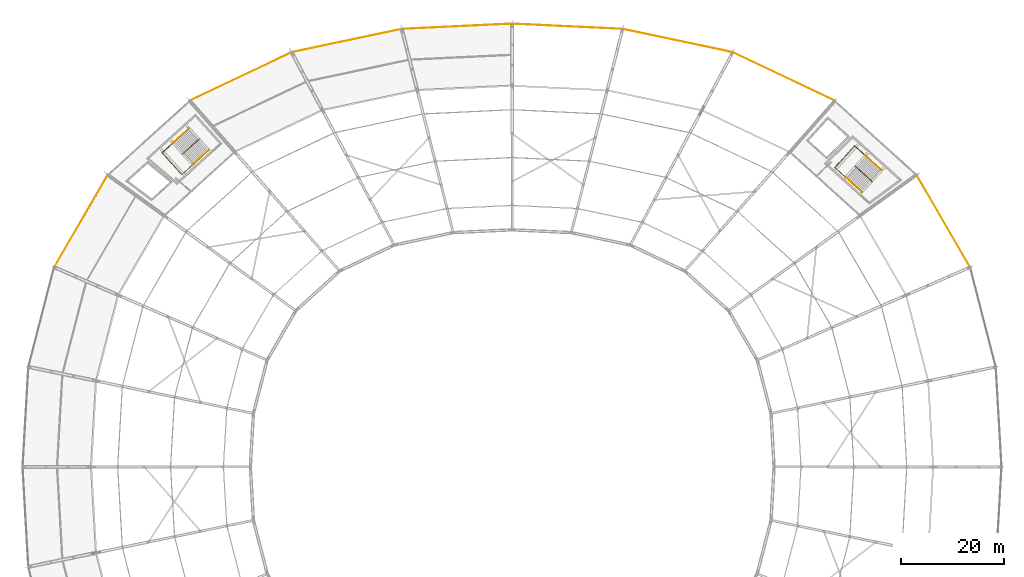
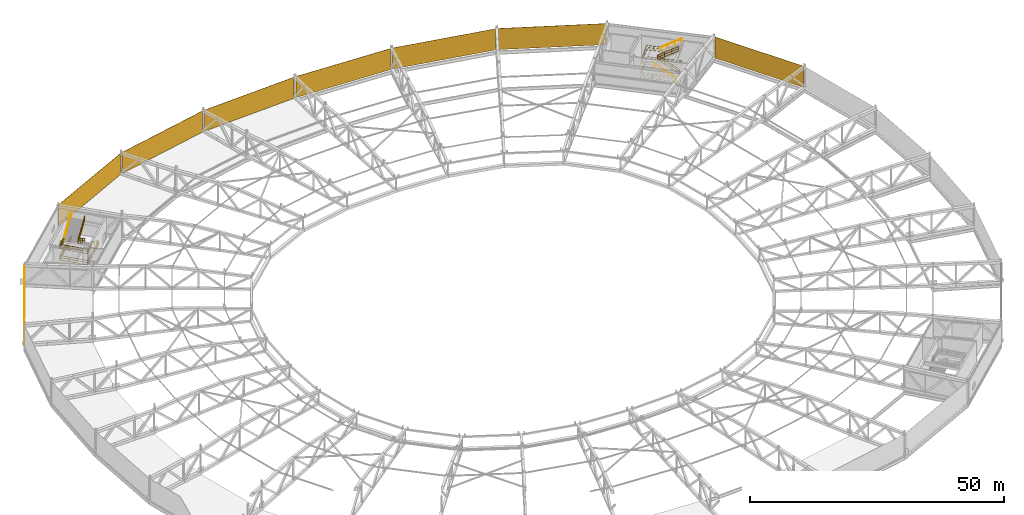
# One storey, part 162 of 162: 10 railings, 8 coverings.
"""IFC4 building model written with IfcOpenShell, lengths in metres."""

from ifc_helpers import new_model, si_unit, direction, frame, origin, origin_2d, place, context, subcontext, project, spatial, rectangle, extrude, material, layer, layer_set, type_object, element, save


model = new_model("IFC4")

# Units and contexts
model_context = context("Model", 3, precision=1e-05, world=origin(), true_north=direction((0.0, 1.0)))
body_context = subcontext(model_context, "Body", "Model", "MODEL_VIEW")
ifc_project = project(units=[si_unit("LENGTHUNIT", "METRE"), si_unit("AREAUNIT", "SQUARE_METRE"), si_unit("VOLUMEUNIT", "CUBIC_METRE"), si_unit("PLANEANGLEUNIT", "RADIAN"), si_unit("MASSUNIT", "GRAM", prefix="KILO")], contexts=[model_context])

# Site, building, storey
site_placement = place(None, origin())
site = spatial("IfcSite", under=ifc_project, at=site_placement, CompositionType="ELEMENT")
building_placement = place(site_placement, origin())
building = spatial("IfcBuilding", under=site, at=building_placement, Name="Kazemori Nagisa Stadium", CompositionType="ELEMENT")
storey_placement = place(building_placement, frame((0.0, 0.0, 36.719970703125)))
storey = spatial("IfcBuildingStorey", under=building, at=storey_placement, Name="RF", CompositionType="ELEMENT", Elevation=36.719970703125)

# Coverings
ifc_material_1 = material(Name="Anodised aluminium 6063-T5", Category="aluminium")
ifc_layer = layer(ifc_material_1, 0.034912109375, Name="Anodised aluminium 6063-T5", Category="aluminium")
ifc_layer_set = layer_set([ifc_layer], Name="Anodised aluminium 6063-T5")
covering_type = type_object("IfcCoveringType", Name="Covering_CLAD", PredefinedType="CLADDING", material=ifc_layer_set)
covering_1_placement = place(storey_placement, frame((206.690185546875, 149.70849609375, 0.030029296875), z_axis=(0.0, 0.0, 1.0), x_axis=(-0.501611590054, 0.865092950337, 0.0)))
element("IfcCovering", 1, at=covering_1_placement, inside=storey, type_object=covering_type, Name="Canopy perimeter acoustic fascia screen RF-B03", PredefinedType="CLADDING", context=body_context, shape_type="SweptSolid", body=[
    extrude(rectangle(XDim=20.21240234375, YDim=0.050048828125, at=origin_2d()), origin(), (0.0, 0.0, 1.0), 5.10009765625),
])
covering_2_placement = place(storey_placement, frame((175.701416015625, 177.76171875, 0.030029296875), z_axis=(0.0, 0.0, 1.0), x_axis=(-0.903215892654, 0.429186499388, 0.0)))
element("IfcCovering", 2, at=covering_2_placement, inside=storey, type_object=covering_type, Name="Canopy perimeter acoustic fascia screen RF-B05", PredefinedType="CLADDING", context=body_context, shape_type="SweptSolid", body=[
    extrude(rectangle(XDim=21.414306640625, YDim=0.050048828125, at=origin_2d()), origin(), (0.0, 0.0, 1.0), 5.10009765625),
])
covering_3_placement = place(storey_placement, frame((155.1162109375, 184.7255859375, 0.030029296875), z_axis=(0.0, 0.0, 1.0), x_axis=(-0.978344955407, 0.206981033502, 0.0)))
element("IfcCovering", 3, at=covering_3_placement, inside=storey, type_object=covering_type, Name="Canopy perimeter acoustic fascia screen RF-B06", PredefinedType="CLADDING", context=body_context, shape_type="SweptSolid", body=[
    extrude(rectangle(XDim=21.35009765625, YDim=0.050048828125, at=origin_2d()), origin(), (0.0, 0.0, 1.0), 5.10009765625),
])
for number, where, z_axis, x_axis, name in (
    (4, (133.7138671875, 187.493408203125, 0.030029296875), (0.0, 0.0, 1.0), (-0.998884022476, 0.047230388971, 0.0), "Canopy perimeter acoustic fascia screen RF-B07"),
    (5, (112.2861328125, 187.493408203125, 0.030029296875), (0.0, 0.0, 1.0), (-0.998884022476, -0.047230388971, 0.0), "Canopy perimeter acoustic fascia screen RF-B08"),
):
    element("IfcCovering", number, at=place(storey_placement, frame(where, z_axis=z_axis, x_axis=x_axis)), inside=storey, type_object=covering_type, Name=name, PredefinedType="CLADDING", context=body_context, shape_type="SweptSolid", body=[
        extrude(rectangle(XDim=20.95166015625, YDim=0.050048828125, at=origin_2d()), origin(), (0.0, 0.0, 1.0), 5.10009765625),
    ])
covering_4_placement = place(storey_placement, frame((90.8837890625, 184.7255859375, 0.030029296875), z_axis=(0.0, 0.0, 1.0), x_axis=(-0.978344955407, -0.206981033502, 0.0)))
element("IfcCovering", 6, at=covering_4_placement, inside=storey, type_object=covering_type, Name="Canopy perimeter acoustic fascia screen RF-B09", PredefinedType="CLADDING", context=body_context, shape_type="SweptSolid", body=[
    extrude(rectangle(XDim=21.35009765625, YDim=0.050048828125, at=origin_2d()), origin(), (0.0, 0.0, 1.0), 5.10009765625),
])
covering_5_placement = place(storey_placement, frame((70.298583984375, 177.76171875, 0.030029296875), z_axis=(0.0, 0.0, 1.0), x_axis=(-0.903215892654, -0.429186499388, 0.0)))
element("IfcCovering", 7, at=covering_5_placement, inside=storey, type_object=covering_type, Name="Canopy perimeter acoustic fascia screen RF-B10", PredefinedType="CLADDING", context=body_context, shape_type="SweptSolid", body=[
    extrude(rectangle(XDim=21.414306640625, YDim=0.050048828125, at=origin_2d()), origin(), (0.0, 0.0, 1.0), 5.10009765625),
])
covering_6_placement = place(storey_placement, frame((39.309814453125, 149.70849609375, 0.030029296875), z_axis=(0.0, 0.0, 1.0), x_axis=(-0.501611590054, -0.865092950337, 0.0)))
element("IfcCovering", 8, at=covering_6_placement, inside=storey, type_object=covering_type, Name="Canopy perimeter acoustic fascia screen RF-B12", PredefinedType="CLADDING", context=body_context, shape_type="SweptSolid", body=[
    extrude(rectangle(XDim=20.21240234375, YDim=0.050048828125, at=origin_2d()), origin(), (0.0, 0.0, 1.0), 5.10009765625),
])

# Railings
ifc_material_2 = material(Name="Galvanised powder-coated steel", Category="steel")
railing_type_1 = type_object("IfcRailingType", Name="Rail_GUARD", PredefinedType="GUARDRAIL", material=ifc_material_2)
railing_1_placement = place(storey_placement, frame((190.87646484375, 155.334228515625, 0.0)))
element("IfcRailing", 9, at=railing_1_placement, inside=storey, type_object=railing_type_1, Name="Stair well perimeter guard ST01-RF", PredefinedType="GUARDRAIL", context=body_context, shape_type="SweptSolid", body=[
    extrude(rectangle(XDim=0.050048828125, YDim=0.050048828125, at=origin_2d()), frame((0.0, 0.0, 1.09521484375), z_axis=(-0.741349073354, 0.671119625281, 0.0), x_axis=(-0.671119625281, -0.741349073354, 0.0)), (0.0, 0.0, 1.0), 7.09521484375),
    extrude(rectangle(XDim=0.03759765625, YDim=0.03759765625, at=origin_2d()), frame((0.0, 0.0, 0.58251953125), z_axis=(-0.741349073354, 0.671119625281, 0.0), x_axis=(-0.671119625281, -0.741349073354, 0.0)), (0.0, 0.0, 1.0), 7.09521484375),
    extrude(rectangle(XDim=0.03759765625, YDim=0.03759765625, at=origin_2d()), frame((0.0, 0.0, 0.02490234375), z_axis=(-0.741349073354, 0.671119625281, 0.0), x_axis=(-0.671119625281, -0.741349073354, 0.0)), (0.0, 0.0, 1.0), 7.09521484375),
    extrude(rectangle(XDim=0.050048828125, YDim=0.050048828125, at=origin_2d()), frame((-5.260009765625, 4.76171875, 1.09521484375), z_axis=(0.67113423669, 0.74133584585, 0.0), x_axis=(-0.74133584585, 0.67113423669, 0.0)), (0.0, 0.0, 1.0), 5.699951171875),
    extrude(rectangle(XDim=0.03759765625, YDim=0.03759765625, at=origin_2d()), frame((-5.260009765625, 4.76171875, 0.58251953125), z_axis=(0.67113423669, 0.74133584585, 0.0), x_axis=(-0.74133584585, 0.67113423669, 0.0)), (0.0, 0.0, 1.0), 5.699951171875),
    extrude(rectangle(XDim=0.03759765625, YDim=0.03759765625, at=origin_2d()), frame((-5.260009765625, 4.76171875, 0.02490234375), z_axis=(0.67113423669, 0.74133584585, 0.0), x_axis=(-0.74133584585, 0.67113423669, 0.0)), (0.0, 0.0, 1.0), 5.699951171875),
    extrude(rectangle(XDim=0.050048828125, YDim=0.050048828125, at=origin_2d()), frame((-1.4345703125, 8.9873046875, 1.09521484375), z_axis=(0.741350695223, -0.671117833686, 0.0), x_axis=(0.671117833686, 0.741350695223, 0.0)), (0.0, 0.0, 1.0), 7.0947265625),
    extrude(rectangle(XDim=0.03759765625, YDim=0.03759765625, at=origin_2d()), frame((-1.4345703125, 8.9873046875, 0.58251953125), z_axis=(0.741350695223, -0.671117833686, 0.0), x_axis=(0.671117833686, 0.741350695223, 0.0)), (0.0, 0.0, 1.0), 7.0947265625),
    extrude(rectangle(XDim=0.03759765625, YDim=0.03759765625, at=origin_2d()), frame((-1.4345703125, 8.9873046875, 0.02490234375), z_axis=(0.741350695223, -0.671117833686, 0.0), x_axis=(0.671117833686, 0.741350695223, 0.0)), (0.0, 0.0, 1.0), 7.0947265625),
    extrude(rectangle(XDim=0.044921875, YDim=0.044921875, at=origin_2d()), origin(), (0.0, 0.0, 1.0), 1.070068359375),
    extrude(rectangle(XDim=0.044921875, YDim=0.044921875, at=origin_2d()), frame((-1.75341796875, 1.587158203125, 0.0)), (0.0, 0.0, 1.0), 1.070068359375),
    extrude(rectangle(XDim=0.044921875, YDim=0.044921875, at=origin_2d()), frame((-3.506591796875, 3.174560546875, 0.0)), (0.0, 0.0, 1.0), 1.070068359375),
    extrude(rectangle(XDim=0.044921875, YDim=0.044921875, at=origin_2d()), frame((-5.260009765625, 4.76171875, 0.0)), (0.0, 0.0, 1.0), 1.070068359375),
    extrude(rectangle(XDim=0.044921875, YDim=0.044921875, at=origin_2d()), frame((-3.98486328125, 6.170166015625, 0.0)), (0.0, 0.0, 1.0), 1.070068359375),
    extrude(rectangle(XDim=0.044921875, YDim=0.044921875, at=origin_2d()), frame((-2.709716796875, 7.578857421875, 0.0)), (0.0, 0.0, 1.0), 1.070068359375),
    extrude(rectangle(XDim=0.044921875, YDim=0.044921875, at=origin_2d()), frame((-1.4345703125, 8.9873046875, 0.0)), (0.0, 0.0, 1.0), 1.070068359375),
    extrude(rectangle(XDim=0.044921875, YDim=0.044921875, at=origin_2d()), frame((0.318603515625, 7.400146484375, 0.0)), (0.0, 0.0, 1.0), 1.070068359375),
    extrude(rectangle(XDim=0.044921875, YDim=0.044921875, at=origin_2d()), frame((2.072021484375, 5.81298828125, 0.0)), (0.0, 0.0, 1.0), 1.070068359375),
    extrude(rectangle(XDim=0.044921875, YDim=0.044921875, at=origin_2d()), frame((3.8251953125, 4.225830078125, 0.0)), (0.0, 0.0, 1.0), 1.070068359375),
])
railing_2_placement = place(storey_placement, frame((192.848388671875, 157.393310546875, 0.0)))
element("IfcRailing", 10, at=railing_2_placement, inside=storey, type_object=railing_type_1, Name="Stair central guard ST01-RF", PredefinedType="GUARDRAIL", context=body_context, shape_type="SweptSolid", body=[
    extrude(rectangle(XDim=0.050048828125, YDim=0.050048828125, at=origin_2d()), frame((0.0, 0.0, 1.09521484375), z_axis=(-0.627557777508, 0.568113486393, 0.532370456043), x_axis=(-0.67112318634, -0.741345849626, 0.0)), (0.0, 0.0, 1.0), 5.109130859375),
    extrude(rectangle(XDim=0.03759765625, YDim=0.03759765625, at=origin_2d()), frame((0.0, 0.0, 0.58251953125), z_axis=(-0.627557777508, 0.568113486393, 0.532370456043), x_axis=(-0.67112318634, -0.741345849626, 0.0)), (0.0, 0.0, 1.0), 5.109130859375),
    extrude(rectangle(XDim=0.03759765625, YDim=0.03759765625, at=origin_2d()), frame((0.0, 0.0, 0.02490234375), z_axis=(-0.627557777508, 0.568113486393, 0.532370456043), x_axis=(-0.67112318634, -0.741345849626, 0.0)), (0.0, 0.0, 1.0), 5.109130859375),
    extrude(rectangle(XDim=0.050048828125, YDim=0.050048828125, at=origin_2d()), frame((-3.206298828125, 2.902587890625, 3.81494140625), z_axis=(0.624200602078, -0.565073454279, 0.539504957933), x_axis=(0.671122625547, 0.741346357298, 0.0)), (0.0, 0.0, 1.0), 5.04150390625),
    extrude(rectangle(XDim=0.03759765625, YDim=0.03759765625, at=origin_2d()), frame((-3.206298828125, 2.902587890625, 3.302490234375), z_axis=(0.624200602078, -0.565073454279, 0.539504957933), x_axis=(0.671122625547, 0.741346357298, 0.0)), (0.0, 0.0, 1.0), 5.04150390625),
    extrude(rectangle(XDim=0.03759765625, YDim=0.03759765625, at=origin_2d()), frame((-3.206298828125, 2.902587890625, 2.7451171875), z_axis=(0.624200602078, -0.565073454279, 0.539504957933), x_axis=(0.671122625547, 0.741346357298, 0.0)), (0.0, 0.0, 1.0), 5.04150390625),
    extrude(rectangle(XDim=0.044921875, YDim=0.044921875, at=origin_2d()), origin(), (0.0, 0.0, 1.0), 1.070068359375),
    extrude(rectangle(XDim=0.044921875, YDim=0.044921875, at=origin_2d()), frame((-1.06884765625, 0.967529296875, 0.90673828125)), (0.0, 0.0, 1.0), 1.070068359375),
    extrude(rectangle(XDim=0.044921875, YDim=0.044921875, at=origin_2d()), frame((-2.137451171875, 1.93505859375, 1.813232421875)), (0.0, 0.0, 1.0), 1.070068359375),
    extrude(rectangle(XDim=0.044921875, YDim=0.044921875, at=origin_2d()), frame((-3.206298828125, 2.902587890625, 2.719970703125)), (0.0, 0.0, 1.0), 1.070068359375),
    extrude(rectangle(XDim=0.044921875, YDim=0.044921875, at=origin_2d()), frame((-2.1572265625, 1.952880859375, 3.626708984375)), (0.0, 0.0, 1.0), 1.070068359375),
    extrude(rectangle(XDim=0.044921875, YDim=0.044921875, at=origin_2d()), frame((-1.1083984375, 1.00341796875, 4.533203125)), (0.0, 0.0, 1.0), 1.070068359375),
    extrude(rectangle(XDim=0.044921875, YDim=0.044921875, at=origin_2d()), frame((-0.059326171875, 0.0537109375, 5.43994140625)), (0.0, 0.0, 1.0), 1.070068359375),
])
railing_3_placement = place(storey_placement, frame((187.729248046875, 158.18310546875, 2.719970703125)))
element("IfcRailing", 11, at=railing_3_placement, inside=storey, type_object=railing_type_1, Name="Stair landing guard ST01-RF", PredefinedType="GUARDRAIL", context=body_context, shape_type="SweptSolid", body=[
    extrude(rectangle(XDim=0.050048828125, YDim=0.050048828125, at=origin_2d()), frame((0.0, 0.0, 1.09521484375), z_axis=(-0.741314535645, 0.671157775223, 0.0), x_axis=(-0.671157775223, -0.741314535645, 0.0)), (0.0, 0.0, 1.0), 2.85009765625),
    extrude(rectangle(XDim=0.03759765625, YDim=0.03759765625, at=origin_2d()), frame((0.0, 0.0, 0.58251953125), z_axis=(-0.741314535645, 0.671157775223, 0.0), x_axis=(-0.671157775223, -0.741314535645, 0.0)), (0.0, 0.0, 1.0), 2.85009765625),
    extrude(rectangle(XDim=0.03759765625, YDim=0.03759765625, at=origin_2d()), frame((0.0, 0.0, 0.02490234375), z_axis=(-0.741314535645, 0.671157775223, 0.0), x_axis=(-0.671157775223, -0.741314535645, 0.0)), (0.0, 0.0, 1.0), 2.85009765625),
    extrude(rectangle(XDim=0.050048828125, YDim=0.050048828125, at=origin_2d()), frame((-2.11279296875, 1.912841796875, 1.09521484375), z_axis=(0.67113423669, 0.74133584585, 0.0), x_axis=(-0.74133584585, 0.67113423669, 0.0)), (0.0, 0.0, 1.0), 5.699951171875),
    extrude(rectangle(XDim=0.03759765625, YDim=0.03759765625, at=origin_2d()), frame((-2.11279296875, 1.912841796875, 0.58251953125), z_axis=(0.67113423669, 0.74133584585, 0.0), x_axis=(-0.74133584585, 0.67113423669, 0.0)), (0.0, 0.0, 1.0), 5.699951171875),
    extrude(rectangle(XDim=0.03759765625, YDim=0.03759765625, at=origin_2d()), frame((-2.11279296875, 1.912841796875, 0.02490234375), z_axis=(0.67113423669, 0.74133584585, 0.0), x_axis=(-0.74133584585, 0.67113423669, 0.0)), (0.0, 0.0, 1.0), 5.699951171875),
    extrude(rectangle(XDim=0.050048828125, YDim=0.050048828125, at=origin_2d()), frame((1.712646484375, 6.138427734375, 1.09521484375), z_axis=(0.741357156534, -0.671110696127, 0.0), x_axis=(0.671110696127, 0.741357156534, 0.0)), (0.0, 0.0, 1.0), 2.849853515625),
    extrude(rectangle(XDim=0.03759765625, YDim=0.03759765625, at=origin_2d()), frame((1.712646484375, 6.138427734375, 0.58251953125), z_axis=(0.741357156534, -0.671110696127, 0.0), x_axis=(0.671110696127, 0.741357156534, 0.0)), (0.0, 0.0, 1.0), 2.849853515625),
    extrude(rectangle(XDim=0.03759765625, YDim=0.03759765625, at=origin_2d()), frame((1.712646484375, 6.138427734375, 0.02490234375), z_axis=(0.741357156534, -0.671110696127, 0.0), x_axis=(0.671110696127, 0.741357156534, 0.0)), (0.0, 0.0, 1.0), 2.849853515625),
    extrude(rectangle(XDim=0.044921875, YDim=0.044921875, at=origin_2d()), origin(), (0.0, 0.0, 1.0), 1.070068359375),
    extrude(rectangle(XDim=0.044921875, YDim=0.044921875, at=origin_2d()), frame((-1.056396484375, 0.95654296875, 0.0)), (0.0, 0.0, 1.0), 1.070068359375),
    extrude(rectangle(XDim=0.044921875, YDim=0.044921875, at=origin_2d()), frame((-2.11279296875, 1.912841796875, 0.0)), (0.0, 0.0, 1.0), 1.070068359375),
    extrude(rectangle(XDim=0.044921875, YDim=0.044921875, at=origin_2d()), frame((-0.837646484375, 3.3212890625, 0.0)), (0.0, 0.0, 1.0), 1.070068359375),
    extrude(rectangle(XDim=0.044921875, YDim=0.044921875, at=origin_2d()), frame((0.4375, 4.72998046875, 0.0)), (0.0, 0.0, 1.0), 1.070068359375),
    extrude(rectangle(XDim=0.044921875, YDim=0.044921875, at=origin_2d()), frame((1.712646484375, 6.138427734375, 0.0)), (0.0, 0.0, 1.0), 1.070068359375),
    extrude(rectangle(XDim=0.044921875, YDim=0.044921875, at=origin_2d()), frame((2.76904296875, 5.18212890625, 0.0)), (0.0, 0.0, 1.0), 1.070068359375),
    extrude(rectangle(XDim=0.044921875, YDim=0.044921875, at=origin_2d()), frame((3.825439453125, 4.225830078125, 0.0)), (0.0, 0.0, 1.0), 1.070068359375),
])
railing_4_placement = place(storey_placement, frame((64.12109375, 163.4794921875, 0.0)))
element("IfcRailing", 12, at=railing_4_placement, inside=storey, type_object=railing_type_1, Name="Stair well perimeter guard ST02-RF", PredefinedType="GUARDRAIL", context=body_context, shape_type="SweptSolid", body=[
    extrude(rectangle(XDim=0.050048828125, YDim=0.050048828125, at=origin_2d()), frame((0.0, 0.0, 1.09521484375), z_axis=(-0.741333574744, -0.671136745349, 0.0), x_axis=(0.671136745349, -0.741333574744, 0.0)), (0.0, 0.0, 1.0), 7.094970703125),
    extrude(rectangle(XDim=0.03759765625, YDim=0.03759765625, at=origin_2d()), frame((0.0, 0.0, 0.58251953125), z_axis=(-0.741333574744, -0.671136745349, 0.0), x_axis=(0.671136745349, -0.741333574744, 0.0)), (0.0, 0.0, 1.0), 7.094970703125),
    extrude(rectangle(XDim=0.03759765625, YDim=0.03759765625, at=origin_2d()), frame((0.0, 0.0, 0.02490234375), z_axis=(-0.741333574744, -0.671136745349, 0.0), x_axis=(0.671136745349, -0.741333574744, 0.0)), (0.0, 0.0, 1.0), 7.094970703125),
    extrude(rectangle(XDim=0.050048828125, YDim=0.050048828125, at=origin_2d()), frame((-5.259765625, -4.76171875, 1.09521484375), z_axis=(-0.671112926645, 0.74135513736, 0.0), x_axis=(-0.74135513736, -0.671112926645, 0.0)), (0.0, 0.0, 1.0), 5.7001953125),
    extrude(rectangle(XDim=0.03759765625, YDim=0.03759765625, at=origin_2d()), frame((-5.259765625, -4.76171875, 0.58251953125), z_axis=(-0.671112926645, 0.74135513736, 0.0), x_axis=(-0.74135513736, -0.671112926645, 0.0)), (0.0, 0.0, 1.0), 5.7001953125),
    extrude(rectangle(XDim=0.03759765625, YDim=0.03759765625, at=origin_2d()), frame((-5.259765625, -4.76171875, 0.02490234375), z_axis=(-0.671112926645, 0.74135513736, 0.0), x_axis=(-0.74135513736, -0.671112926645, 0.0)), (0.0, 0.0, 1.0), 5.7001953125),
    extrude(rectangle(XDim=0.050048828125, YDim=0.050048828125, at=origin_2d()), frame((-9.085205078125, -0.535888671875, 1.09521484375), z_axis=(0.741366193318, 0.67110071331, 0.0), x_axis=(-0.67110071331, 0.741366193318, 0.0)), (0.0, 0.0, 1.0), 7.094970703125),
    extrude(rectangle(XDim=0.03759765625, YDim=0.03759765625, at=origin_2d()), frame((-9.085205078125, -0.535888671875, 0.58251953125), z_axis=(0.741366193318, 0.67110071331, 0.0), x_axis=(-0.67110071331, 0.741366193318, 0.0)), (0.0, 0.0, 1.0), 7.094970703125),
    extrude(rectangle(XDim=0.03759765625, YDim=0.03759765625, at=origin_2d()), frame((-9.085205078125, -0.535888671875, 0.02490234375), z_axis=(0.741366193318, 0.67110071331, 0.0), x_axis=(-0.67110071331, 0.741366193318, 0.0)), (0.0, 0.0, 1.0), 7.094970703125),
    extrude(rectangle(XDim=0.044921875, YDim=0.044921875, at=origin_2d()), origin(), (0.0, 0.0, 1.0), 1.070068359375),
    extrude(rectangle(XDim=0.044921875, YDim=0.044921875, at=origin_2d()), frame((-1.753173828125, -1.587158203125, 0.0)), (0.0, 0.0, 1.0), 1.070068359375),
    extrude(rectangle(XDim=0.044921875, YDim=0.044921875, at=origin_2d()), frame((-3.506591796875, -3.174560546875, 0.0)), (0.0, 0.0, 1.0), 1.070068359375),
    extrude(rectangle(XDim=0.044921875, YDim=0.044921875, at=origin_2d()), frame((-5.259765625, -4.76171875, 0.0)), (0.0, 0.0, 1.0), 1.070068359375),
    extrude(rectangle(XDim=0.044921875, YDim=0.044921875, at=origin_2d()), frame((-6.534912109375, -3.35302734375, 0.0)), (0.0, 0.0, 1.0), 1.070068359375),
    extrude(rectangle(XDim=0.044921875, YDim=0.044921875, at=origin_2d()), frame((-7.81005859375, -1.944580078125, 0.0)), (0.0, 0.0, 1.0), 1.070068359375),
    extrude(rectangle(XDim=0.044921875, YDim=0.044921875, at=origin_2d()), frame((-9.085205078125, -0.535888671875, 0.0)), (0.0, 0.0, 1.0), 1.070068359375),
    extrude(rectangle(XDim=0.044921875, YDim=0.044921875, at=origin_2d()), frame((-7.331787109375, 1.05126953125, 0.0)), (0.0, 0.0, 1.0), 1.070068359375),
    extrude(rectangle(XDim=0.044921875, YDim=0.044921875, at=origin_2d()), frame((-5.57861328125, 2.638427734375, 0.0)), (0.0, 0.0, 1.0), 1.070068359375),
    extrude(rectangle(XDim=0.044921875, YDim=0.044921875, at=origin_2d()), frame((-3.8251953125, 4.2255859375, 0.0)), (0.0, 0.0, 1.0), 1.070068359375),
])
railing_5_placement = place(storey_placement, frame((62.267822265625, 165.64599609375, 0.0)))
element("IfcRailing", 13, at=railing_5_placement, inside=storey, type_object=railing_type_1, Name="Stair central guard ST02-RF", PredefinedType="GUARDRAIL", context=body_context, shape_type="SweptSolid", body=[
    extrude(rectangle(XDim=0.050048828125, YDim=0.050048828125, at=origin_2d()), frame((0.0, 0.0, 1.09521484375), z_axis=(-0.627557777508, -0.568113486393, 0.532370456043), x_axis=(0.67112318634, -0.741345849626, 0.0)), (0.0, 0.0, 1.0), 5.109130859375),
    extrude(rectangle(XDim=0.03759765625, YDim=0.03759765625, at=origin_2d()), frame((0.0, 0.0, 0.58251953125), z_axis=(-0.627557777508, -0.568113486393, 0.532370456043), x_axis=(0.67112318634, -0.741345849626, 0.0)), (0.0, 0.0, 1.0), 5.109130859375),
    extrude(rectangle(XDim=0.03759765625, YDim=0.03759765625, at=origin_2d()), frame((0.0, 0.0, 0.02490234375), z_axis=(-0.627557777508, -0.568113486393, 0.532370456043), x_axis=(0.67112318634, -0.741345849626, 0.0)), (0.0, 0.0, 1.0), 5.109130859375),
    extrude(rectangle(XDim=0.050048828125, YDim=0.050048828125, at=origin_2d()), frame((-3.206298828125, -2.902587890625, 3.81494140625), z_axis=(0.624200602078, 0.565073454279, 0.539504957933), x_axis=(-0.671122625547, 0.741346357298, 0.0)), (0.0, 0.0, 1.0), 5.04150390625),
    extrude(rectangle(XDim=0.03759765625, YDim=0.03759765625, at=origin_2d()), frame((-3.206298828125, -2.902587890625, 3.302490234375), z_axis=(0.624200602078, 0.565073454279, 0.539504957933), x_axis=(-0.671122625547, 0.741346357298, 0.0)), (0.0, 0.0, 1.0), 5.04150390625),
    extrude(rectangle(XDim=0.03759765625, YDim=0.03759765625, at=origin_2d()), frame((-3.206298828125, -2.902587890625, 2.7451171875), z_axis=(0.624200602078, 0.565073454279, 0.539504957933), x_axis=(-0.671122625547, 0.741346357298, 0.0)), (0.0, 0.0, 1.0), 5.04150390625),
    extrude(rectangle(XDim=0.044921875, YDim=0.044921875, at=origin_2d()), origin(), (0.0, 0.0, 1.0), 1.070068359375),
    extrude(rectangle(XDim=0.044921875, YDim=0.044921875, at=origin_2d()), frame((-1.06884765625, -0.967529296875, 0.90673828125)), (0.0, 0.0, 1.0), 1.070068359375),
    extrude(rectangle(XDim=0.044921875, YDim=0.044921875, at=origin_2d()), frame((-2.137451171875, -1.93505859375, 1.813232421875)), (0.0, 0.0, 1.0), 1.070068359375),
    extrude(rectangle(XDim=0.044921875, YDim=0.044921875, at=origin_2d()), frame((-3.206298828125, -2.902587890625, 2.719970703125)), (0.0, 0.0, 1.0), 1.070068359375),
    extrude(rectangle(XDim=0.044921875, YDim=0.044921875, at=origin_2d()), frame((-2.1572265625, -1.952880859375, 3.626708984375)), (0.0, 0.0, 1.0), 1.070068359375),
    extrude(rectangle(XDim=0.044921875, YDim=0.044921875, at=origin_2d()), frame((-1.1083984375, -1.00341796875, 4.533203125)), (0.0, 0.0, 1.0), 1.070068359375),
    extrude(rectangle(XDim=0.044921875, YDim=0.044921875, at=origin_2d()), frame((-0.059326171875, -0.0537109375, 5.43994140625)), (0.0, 0.0, 1.0), 1.070068359375),
])
railing_6_placement = place(storey_placement, frame((60.97412109375, 160.630615234375, 2.719970703125)))
element("IfcRailing", 14, at=railing_6_placement, inside=storey, type_object=railing_type_1, Name="Stair landing guard ST02-RF", PredefinedType="GUARDRAIL", context=body_context, shape_type="SweptSolid", body=[
    extrude(rectangle(XDim=0.050048828125, YDim=0.050048828125, at=origin_2d()), frame((0.0, 0.0, 1.09521484375), z_axis=(-0.741314535645, -0.671157775223, 0.0), x_axis=(0.671157775223, -0.741314535645, 0.0)), (0.0, 0.0, 1.0), 2.85009765625),
    extrude(rectangle(XDim=0.03759765625, YDim=0.03759765625, at=origin_2d()), frame((0.0, 0.0, 0.58251953125), z_axis=(-0.741314535645, -0.671157775223, 0.0), x_axis=(0.671157775223, -0.741314535645, 0.0)), (0.0, 0.0, 1.0), 2.85009765625),
    extrude(rectangle(XDim=0.03759765625, YDim=0.03759765625, at=origin_2d()), frame((0.0, 0.0, 0.02490234375), z_axis=(-0.741314535645, -0.671157775223, 0.0), x_axis=(0.671157775223, -0.741314535645, 0.0)), (0.0, 0.0, 1.0), 2.85009765625),
    extrude(rectangle(XDim=0.050048828125, YDim=0.050048828125, at=origin_2d()), frame((-2.11279296875, -1.912841796875, 1.09521484375), z_axis=(-0.671112926645, 0.74135513736, 0.0), x_axis=(-0.74135513736, -0.671112926645, 0.0)), (0.0, 0.0, 1.0), 5.7001953125),
    extrude(rectangle(XDim=0.03759765625, YDim=0.03759765625, at=origin_2d()), frame((-2.11279296875, -1.912841796875, 0.58251953125), z_axis=(-0.671112926645, 0.74135513736, 0.0), x_axis=(-0.74135513736, -0.671112926645, 0.0)), (0.0, 0.0, 1.0), 5.7001953125),
    extrude(rectangle(XDim=0.03759765625, YDim=0.03759765625, at=origin_2d()), frame((-2.11279296875, -1.912841796875, 0.02490234375), z_axis=(-0.671112926645, 0.74135513736, 0.0), x_axis=(-0.74135513736, -0.671112926645, 0.0)), (0.0, 0.0, 1.0), 5.7001953125),
    extrude(rectangle(XDim=0.050048828125, YDim=0.050048828125, at=origin_2d()), frame((-5.938232421875, 2.31298828125, 1.09521484375), z_axis=(0.741357156534, 0.671110696127, 0.0), x_axis=(-0.671110696127, 0.741357156534, 0.0)), (0.0, 0.0, 1.0), 2.849853515625),
    extrude(rectangle(XDim=0.03759765625, YDim=0.03759765625, at=origin_2d()), frame((-5.938232421875, 2.31298828125, 0.58251953125), z_axis=(0.741357156534, 0.671110696127, 0.0), x_axis=(-0.671110696127, 0.741357156534, 0.0)), (0.0, 0.0, 1.0), 2.849853515625),
    extrude(rectangle(XDim=0.03759765625, YDim=0.03759765625, at=origin_2d()), frame((-5.938232421875, 2.31298828125, 0.02490234375), z_axis=(0.741357156534, 0.671110696127, 0.0), x_axis=(-0.671110696127, 0.741357156534, 0.0)), (0.0, 0.0, 1.0), 2.849853515625),
    extrude(rectangle(XDim=0.044921875, YDim=0.044921875, at=origin_2d()), origin(), (0.0, 0.0, 1.0), 1.070068359375),
    extrude(rectangle(XDim=0.044921875, YDim=0.044921875, at=origin_2d()), frame((-1.056396484375, -0.95654296875, 0.0)), (0.0, 0.0, 1.0), 1.070068359375),
    extrude(rectangle(XDim=0.044921875, YDim=0.044921875, at=origin_2d()), frame((-2.11279296875, -1.912841796875, 0.0)), (0.0, 0.0, 1.0), 1.070068359375),
    extrude(rectangle(XDim=0.044921875, YDim=0.044921875, at=origin_2d()), frame((-3.387939453125, -0.504150390625, 0.0)), (0.0, 0.0, 1.0), 1.070068359375),
    extrude(rectangle(XDim=0.044921875, YDim=0.044921875, at=origin_2d()), frame((-4.6630859375, 0.904296875, 0.0)), (0.0, 0.0, 1.0), 1.070068359375),
    extrude(rectangle(XDim=0.044921875, YDim=0.044921875, at=origin_2d()), frame((-5.938232421875, 2.31298828125, 0.0)), (0.0, 0.0, 1.0), 1.070068359375),
    extrude(rectangle(XDim=0.044921875, YDim=0.044921875, at=origin_2d()), frame((-4.8818359375, 3.269287109375, 0.0)), (0.0, 0.0, 1.0), 1.070068359375),
    extrude(rectangle(XDim=0.044921875, YDim=0.044921875, at=origin_2d()), frame((-3.825439453125, 4.2255859375, 0.0)), (0.0, 0.0, 1.0), 1.070068359375),
])
ifc_material_3 = material(Name="Stainless steel SUS304", Category="steel")
railing_type_2 = type_object("IfcRailingType", Name="Rail_HAND", PredefinedType="HANDRAIL", material=ifc_material_3)
railing_7_placement = place(storey_placement, frame((190.935791015625, 155.280517578125, 0.169921875)))
element("IfcRailing", 15, at=railing_7_placement, inside=storey, type_object=railing_type_2, Name="Stair handrail ST01-RF-F1", PredefinedType="HANDRAIL", context=body_context, shape_type="SweptSolid", body=[
    extrude(rectangle(XDim=0.050048828125, YDim=0.050048828125, at=origin_2d()), frame((0.0, 0.0, 0.875), z_axis=(-0.627570777512, 0.568081998922, 0.532388731768), x_axis=(-0.671095101672, -0.741371273056, 0.0)), (0.0, 0.0, 1.0), 5.109375),
    extrude(rectangle(XDim=0.044921875, YDim=0.044921875, at=origin_2d()), origin(), (0.0, 0.0, 1.0), 0.849853515625),
    extrude(rectangle(XDim=0.044921875, YDim=0.044921875, at=origin_2d()), frame((-1.06884765625, 0.967529296875, 0.90673828125)), (0.0, 0.0, 1.0), 0.849853515625),
    extrude(rectangle(XDim=0.044921875, YDim=0.044921875, at=origin_2d()), frame((-2.1376953125, 1.93505859375, 1.8134765625)), (0.0, 0.0, 1.0), 0.849853515625),
    extrude(rectangle(XDim=0.044921875, YDim=0.044921875, at=origin_2d()), frame((-3.20654296875, 2.902587890625, 2.72021484375)), (0.0, 0.0, 1.0), 0.849853515625),
])
railing_8_placement = place(storey_placement, frame((191.5546875, 162.408935546875, 2.89013671875)))
element("IfcRailing", 16, at=railing_8_placement, inside=storey, type_object=railing_type_2, Name="Stair handrail ST01-RF-F2", PredefinedType="HANDRAIL", context=body_context, shape_type="SweptSolid", body=[
    extrude(rectangle(XDim=0.050048828125, YDim=0.050048828125, at=origin_2d()), frame((0.0, 0.0, 0.875), z_axis=(0.624200602078, -0.565073454279, 0.539504957933), x_axis=(0.671122625547, 0.741346357298, 0.0)), (0.0, 0.0, 1.0), 5.04150390625),
    extrude(rectangle(XDim=0.044921875, YDim=0.044921875, at=origin_2d()), origin(), (0.0, 0.0, 1.0), 0.849853515625),
    extrude(rectangle(XDim=0.044921875, YDim=0.044921875, at=origin_2d()), frame((1.049072265625, -0.94970703125, 0.90673828125)), (0.0, 0.0, 1.0), 0.849853515625),
    extrude(rectangle(XDim=0.044921875, YDim=0.044921875, at=origin_2d()), frame((2.097900390625, -1.899169921875, 1.813232421875)), (0.0, 0.0, 1.0), 0.849853515625),
    extrude(rectangle(XDim=0.044921875, YDim=0.044921875, at=origin_2d()), frame((3.14697265625, -2.848876953125, 2.719970703125)), (0.0, 0.0, 1.0), 0.849853515625),
])
railing_9_placement = place(storey_placement, frame((64.180419921875, 163.533203125, 0.169921875)))
element("IfcRailing", 17, at=railing_9_placement, inside=storey, type_object=railing_type_2, Name="Stair handrail ST02-RF-F1", PredefinedType="HANDRAIL", context=body_context, shape_type="SweptSolid", body=[
    extrude(rectangle(XDim=0.050048828125, YDim=0.050048828125, at=origin_2d()), frame((0.0, 0.0, 0.875), z_axis=(-0.627541812823, -0.568099033934, 0.53240469645), x_axis=(0.67112318634, -0.741345849626, 0.0)), (0.0, 0.0, 1.0), 5.109375),
    extrude(rectangle(XDim=0.044921875, YDim=0.044921875, at=origin_2d()), origin(), (0.0, 0.0, 1.0), 0.849853515625),
    extrude(rectangle(XDim=0.044921875, YDim=0.044921875, at=origin_2d()), frame((-1.06884765625, -0.967529296875, 0.90673828125)), (0.0, 0.0, 1.0), 0.849853515625),
    extrude(rectangle(XDim=0.044921875, YDim=0.044921875, at=origin_2d()), frame((-2.137451171875, -1.93505859375, 1.8134765625)), (0.0, 0.0, 1.0), 0.849853515625),
    extrude(rectangle(XDim=0.044921875, YDim=0.044921875, at=origin_2d()), frame((-3.206298828125, -2.902587890625, 2.72021484375)), (0.0, 0.0, 1.0), 0.849853515625),
])
railing_10_placement = place(storey_placement, frame((57.148681640625, 164.856201171875, 2.89013671875)))
element("IfcRailing", 18, at=railing_10_placement, inside=storey, type_object=railing_type_2, Name="Stair handrail ST02-RF-F2", PredefinedType="HANDRAIL", context=body_context, shape_type="SweptSolid", body=[
    extrude(rectangle(XDim=0.050048828125, YDim=0.050048828125, at=origin_2d()), frame((0.0, 0.0, 0.875), z_axis=(0.624230158192, 0.5650563739, 0.539488650408), x_axis=(-0.67109401143, 0.741372259949, 0.0)), (0.0, 0.0, 1.0), 5.041748046875),
    extrude(rectangle(XDim=0.044921875, YDim=0.044921875, at=origin_2d()), origin(), (0.0, 0.0, 1.0), 0.849853515625),
    extrude(rectangle(XDim=0.044921875, YDim=0.044921875, at=origin_2d()), frame((1.049072265625, 0.94970703125, 0.90673828125)), (0.0, 0.0, 1.0), 0.849853515625),
    extrude(rectangle(XDim=0.044921875, YDim=0.044921875, at=origin_2d()), frame((2.09814453125, 1.899169921875, 1.813232421875)), (0.0, 0.0, 1.0), 0.849853515625),
    extrude(rectangle(XDim=0.044921875, YDim=0.044921875, at=origin_2d()), frame((3.147216796875, 2.848876953125, 2.719970703125)), (0.0, 0.0, 1.0), 0.849853515625),
])

save(model, "model.ifc")
